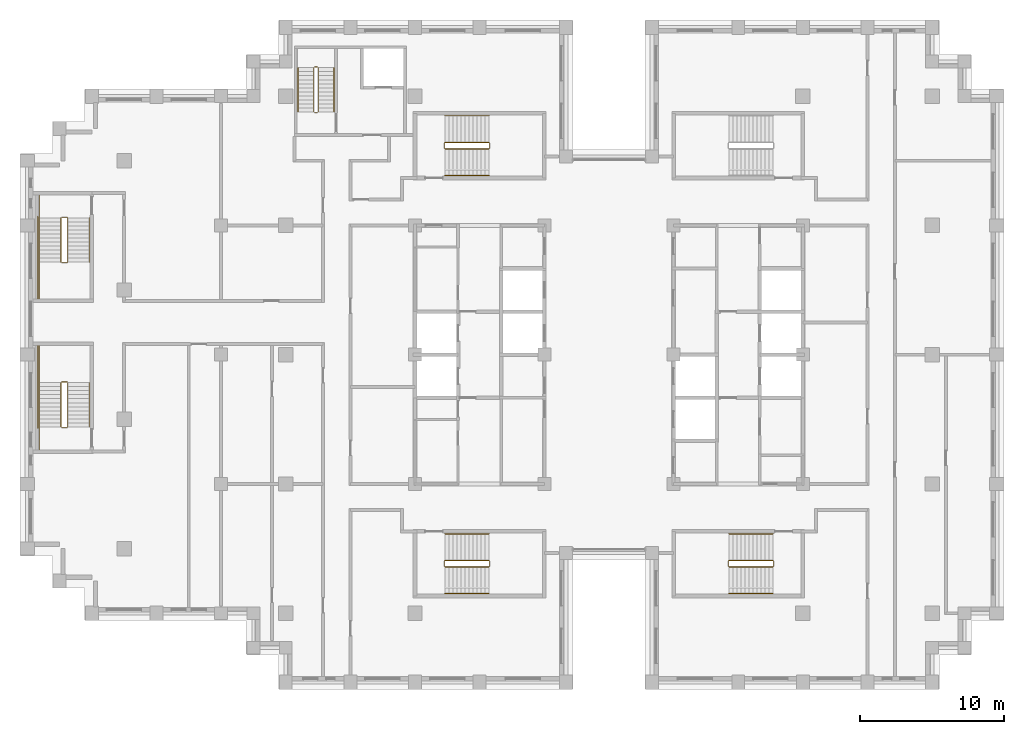
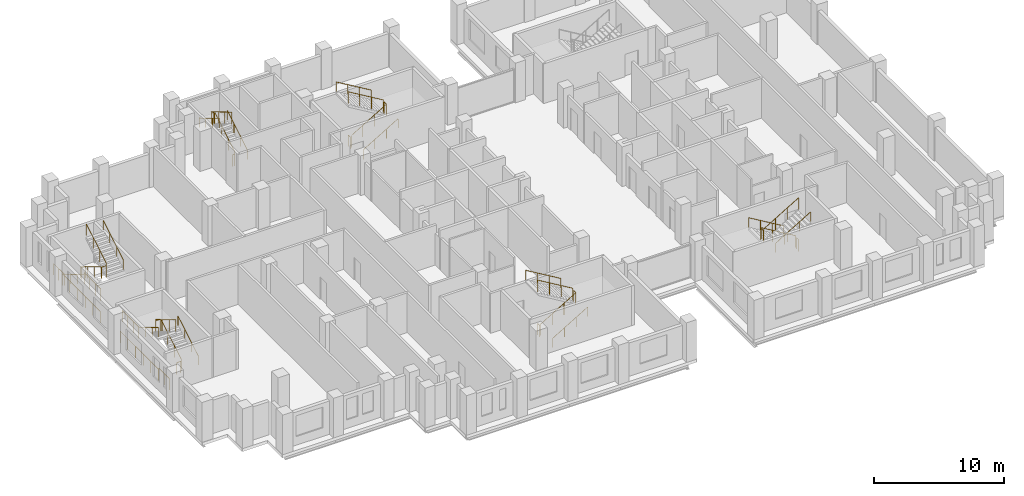
# One storey, part 14 of 15: 6 railings.
"""IFC4 building model written with IfcOpenShell, lengths in metres."""

from ifc_helpers import new_model, si_unit, direction, frame, origin, origin_2d, place, context, subcontext, project, spatial, circle, extrude, material, type_object, element, save


model = new_model("IFC4")

# Units and contexts
model_context = context("Model", 3, precision=1e-05, world=origin(), true_north=direction((0.0, 1.0)))
body_context = subcontext(model_context, "Body", "Model", "MODEL_VIEW")
ifc_project = project(units=[si_unit("LENGTHUNIT", "METRE"), si_unit("AREAUNIT", "SQUARE_METRE"), si_unit("VOLUMEUNIT", "CUBIC_METRE"), si_unit("PLANEANGLEUNIT", "RADIAN"), si_unit("MASSUNIT", "GRAM", prefix="KILO")], contexts=[model_context])

# Site, building, storey
site_placement = place(None, origin())
site = spatial("IfcSite", under=ifc_project, at=site_placement, CompositionType="ELEMENT")
building_placement = place(site_placement, origin())
building = spatial("IfcBuilding", under=site, at=building_placement, Name="Corbelhall Arena Tower", CompositionType="ELEMENT")
storey_placement = place(building_placement, frame((0.0, 0.0, 220.0)))
storey = spatial("IfcBuildingStorey", under=building, at=storey_placement, Name="L46", CompositionType="ELEMENT", Elevation=220.0)

# Railings
ifc_material = material(Name="Steel ASTM A500 Gr C", Category="steel")
railing_type = type_object("IfcRailingType", Name="IN-GD-1100", PredefinedType="GUARDRAIL", material=ifc_material)
railing_1_placement = place(storey_placement, frame((-11.425048828125, 14.324951171875, 0.166748046875)))
element("IfcRailing", 1, at=railing_1_placement, inside=storey, type_object=railing_type, Name="L46 ST1 stair guards and handrails", PredefinedType="GUARDRAIL", context=body_context, shape_type="SweptSolid", body=[
    extrude(circle(Radius=0.02392578125, at=origin_2d()), frame((0.0, 0.0, 1.076171875), z_axis=(0.859308565015, 0.0, 0.511457515432), x_axis=(0.0, 1.0, 0.0)), (0.0, 0.0, 1.0), 3.58447265625),
    extrude(circle(Radius=0.02392578125, at=origin_2d()), frame((3.130126953125, 0.050048828125, 2.9091796875), z_axis=(0.0, 1.0, 0.0), x_axis=(-1.0, 0.0, 0.0)), (0.0, 0.0, 1.0), 0.35009765625),
    extrude(circle(Radius=0.02392578125, at=origin_2d()), frame((3.080078125, 0.449951171875, 3.076171875), z_axis=(-0.859308565015, 0.0, 0.511457515432), x_axis=(0.0, -1.0, 0.0)), (0.0, 0.0, 1.0), 3.58447265625),
    extrude(circle(Radius=0.02392578125, at=origin_2d()), frame((-0.050048828125, 0.050048828125, 0.9091796875), z_axis=(0.0, 1.0, 0.0), x_axis=(-1.0, 0.0, 0.0)), (0.0, 0.0, 1.0), 0.35009765625),
    extrude(circle(Radius=0.02392578125, at=origin_2d()), frame((0.0, -1.849853515625, 0.8759765625), z_axis=(0.859308565015, 0.0, 0.511457515432), x_axis=(0.0, 1.0, 0.0)), (0.0, 0.0, 1.0), 3.58447265625),
    extrude(circle(Radius=0.02392578125, at=origin_2d()), frame((3.080078125, 2.300048828125, 2.8759765625), z_axis=(-0.859308565015, 0.0, 0.511457515432), x_axis=(0.0, -1.0, 0.0)), (0.0, 0.0, 1.0), 3.58447265625),
    extrude(circle(Radius=0.02099609375, at=origin_2d()), origin(), (0.0, 0.0, 1.0), 1.052001953125),
    extrude(circle(Radius=0.02099609375, at=origin_2d()), frame((1.026611328125, 0.0, 0.611083984375)), (0.0, 0.0, 1.0), 1.052001953125),
    extrude(circle(Radius=0.02099609375, at=origin_2d()), frame((2.053466796875, 0.0, 1.22216796875)), (0.0, 0.0, 1.0), 1.052001953125),
    extrude(circle(Radius=0.02099609375, at=origin_2d()), frame((3.080078125, 0.0, 1.833251953125)), (0.0, 0.0, 1.0), 1.052001953125),
    extrude(circle(Radius=0.02099609375, at=origin_2d()), frame((3.130126953125, 0.050048828125, 1.833251953125)), (0.0, 0.0, 1.0), 1.052001953125),
    extrude(circle(Radius=0.02099609375, at=origin_2d()), frame((3.130126953125, 0.400146484375, 1.833251953125)), (0.0, 0.0, 1.0), 1.052001953125),
    extrude(circle(Radius=0.02099609375, at=origin_2d()), frame((3.080078125, 0.449951171875, 2.0)), (0.0, 0.0, 1.0), 1.052001953125),
    extrude(circle(Radius=0.02099609375, at=origin_2d()), frame((2.053466796875, 0.449951171875, 2.611083984375)), (0.0, 0.0, 1.0), 1.052001953125),
    extrude(circle(Radius=0.02099609375, at=origin_2d()), frame((1.026611328125, 0.449951171875, 3.22216796875)), (0.0, 0.0, 1.0), 1.052001953125),
    extrude(circle(Radius=0.02099609375, at=origin_2d()), frame((0.0, 0.449951171875, 3.833251953125)), (0.0, 0.0, 1.0), 1.052001953125),
    extrude(circle(Radius=0.02099609375, at=origin_2d()), frame((-0.050048828125, 0.050048828125, -0.166748046875)), (0.0, 0.0, 1.0), 1.052001953125),
    extrude(circle(Radius=0.02099609375, at=origin_2d()), frame((-0.050048828125, 0.400146484375, -0.166748046875)), (0.0, 0.0, 1.0), 1.052001953125),
    extrude(circle(Radius=0.02099609375, at=origin_2d()), frame((0.0, -1.849853515625, 0.0)), (0.0, 0.0, 1.0), 0.851806640625),
    extrude(circle(Radius=0.02099609375, at=origin_2d()), frame((1.026611328125, -1.849853515625, 0.611083984375)), (0.0, 0.0, 1.0), 0.851806640625),
    extrude(circle(Radius=0.02099609375, at=origin_2d()), frame((2.053466796875, -1.849853515625, 1.22216796875)), (0.0, 0.0, 1.0), 0.851806640625),
    extrude(circle(Radius=0.02099609375, at=origin_2d()), frame((3.080078125, -1.849853515625, 1.833251953125)), (0.0, 0.0, 1.0), 0.851806640625),
    extrude(circle(Radius=0.02099609375, at=origin_2d()), frame((3.080078125, 2.300048828125, 2.0)), (0.0, 0.0, 1.0), 0.851806640625),
    extrude(circle(Radius=0.02099609375, at=origin_2d()), frame((2.053466796875, 2.300048828125, 2.611083984375)), (0.0, 0.0, 1.0), 0.851806640625),
    extrude(circle(Radius=0.02099609375, at=origin_2d()), frame((1.026611328125, 2.300048828125, 3.22216796875)), (0.0, 0.0, 1.0), 0.851806640625),
    extrude(circle(Radius=0.02099609375, at=origin_2d()), frame((0.0, 2.300048828125, 3.833251953125)), (0.0, 0.0, 1.0), 0.851806640625),
])
railing_2_placement = place(storey_placement, frame((-11.425048828125, -14.77490234375, 0.166748046875)))
element("IfcRailing", 2, at=railing_2_placement, inside=storey, type_object=railing_type, Name="L46 ST2 stair guards and handrails", PredefinedType="GUARDRAIL", context=body_context, shape_type="SweptSolid", body=[
    extrude(circle(Radius=0.02392578125, at=origin_2d()), frame((0.0, 0.0, 1.076171875), z_axis=(0.859308565015, 0.0, 0.511457515432), x_axis=(0.0, 1.0, 0.0)), (0.0, 0.0, 1.0), 3.58447265625),
    extrude(circle(Radius=0.02392578125, at=origin_2d()), frame((3.130126953125, 0.0498046875, 2.9091796875), z_axis=(0.0, 1.0, 0.0), x_axis=(-1.0, 0.0, 0.0)), (0.0, 0.0, 1.0), 0.35009765625),
    extrude(circle(Radius=0.02392578125, at=origin_2d()), frame((3.080078125, 0.449951171875, 3.076171875), z_axis=(-0.859308565015, 0.0, 0.511457515432), x_axis=(0.0, -1.0, 0.0)), (0.0, 0.0, 1.0), 3.58447265625),
    extrude(circle(Radius=0.02392578125, at=origin_2d()), frame((-0.050048828125, 0.0498046875, 0.9091796875), z_axis=(0.0, 1.0, 0.0), x_axis=(-1.0, 0.0, 0.0)), (0.0, 0.0, 1.0), 0.35009765625),
    extrude(circle(Radius=0.02392578125, at=origin_2d()), frame((0.0, -1.85009765625, 0.8759765625), z_axis=(0.859308565015, 0.0, 0.511457515432), x_axis=(0.0, 1.0, 0.0)), (0.0, 0.0, 1.0), 3.58447265625),
    extrude(circle(Radius=0.02392578125, at=origin_2d()), frame((3.080078125, 2.2998046875, 2.8759765625), z_axis=(-0.859308565015, 0.0, 0.511457515432), x_axis=(0.0, -1.0, 0.0)), (0.0, 0.0, 1.0), 3.58447265625),
    extrude(circle(Radius=0.02099609375, at=origin_2d()), origin(), (0.0, 0.0, 1.0), 1.052001953125),
    extrude(circle(Radius=0.02099609375, at=origin_2d()), frame((1.026611328125, 0.0, 0.611083984375)), (0.0, 0.0, 1.0), 1.052001953125),
    extrude(circle(Radius=0.02099609375, at=origin_2d()), frame((2.053466796875, 0.0, 1.22216796875)), (0.0, 0.0, 1.0), 1.052001953125),
    extrude(circle(Radius=0.02099609375, at=origin_2d()), frame((3.080078125, 0.0, 1.833251953125)), (0.0, 0.0, 1.0), 1.052001953125),
    extrude(circle(Radius=0.02099609375, at=origin_2d()), frame((3.130126953125, 0.0498046875, 1.833251953125)), (0.0, 0.0, 1.0), 1.052001953125),
    extrude(circle(Radius=0.02099609375, at=origin_2d()), frame((3.130126953125, 0.39990234375, 1.833251953125)), (0.0, 0.0, 1.0), 1.052001953125),
    extrude(circle(Radius=0.02099609375, at=origin_2d()), frame((3.080078125, 0.449951171875, 2.0)), (0.0, 0.0, 1.0), 1.052001953125),
    extrude(circle(Radius=0.02099609375, at=origin_2d()), frame((2.053466796875, 0.449951171875, 2.611083984375)), (0.0, 0.0, 1.0), 1.052001953125),
    extrude(circle(Radius=0.02099609375, at=origin_2d()), frame((1.026611328125, 0.449951171875, 3.22216796875)), (0.0, 0.0, 1.0), 1.052001953125),
    extrude(circle(Radius=0.02099609375, at=origin_2d()), frame((0.0, 0.449951171875, 3.833251953125)), (0.0, 0.0, 1.0), 1.052001953125),
    extrude(circle(Radius=0.02099609375, at=origin_2d()), frame((-0.050048828125, 0.0498046875, -0.166748046875)), (0.0, 0.0, 1.0), 1.052001953125),
    extrude(circle(Radius=0.02099609375, at=origin_2d()), frame((-0.050048828125, 0.39990234375, -0.166748046875)), (0.0, 0.0, 1.0), 1.052001953125),
    extrude(circle(Radius=0.02099609375, at=origin_2d()), frame((0.0, -1.85009765625, 0.0)), (0.0, 0.0, 1.0), 0.851806640625),
    extrude(circle(Radius=0.02099609375, at=origin_2d()), frame((1.026611328125, -1.85009765625, 0.611083984375)), (0.0, 0.0, 1.0), 0.851806640625),
    extrude(circle(Radius=0.02099609375, at=origin_2d()), frame((2.053466796875, -1.85009765625, 1.22216796875)), (0.0, 0.0, 1.0), 0.851806640625),
    extrude(circle(Radius=0.02099609375, at=origin_2d()), frame((3.080078125, -1.85009765625, 1.833251953125)), (0.0, 0.0, 1.0), 0.851806640625),
    extrude(circle(Radius=0.02099609375, at=origin_2d()), frame((3.080078125, 2.2998046875, 2.0)), (0.0, 0.0, 1.0), 0.851806640625),
    extrude(circle(Radius=0.02099609375, at=origin_2d()), frame((2.053466796875, 2.2998046875, 2.611083984375)), (0.0, 0.0, 1.0), 0.851806640625),
    extrude(circle(Radius=0.02099609375, at=origin_2d()), frame((1.026611328125, 2.2998046875, 3.22216796875)), (0.0, 0.0, 1.0), 0.851806640625),
    extrude(circle(Radius=0.02099609375, at=origin_2d()), frame((0.0, 2.2998046875, 3.833251953125)), (0.0, 0.0, 1.0), 0.851806640625),
])
railing_3_placement = place(storey_placement, frame((11.425048828125, -14.324951171875, 0.166748046875)))
element("IfcRailing", 3, at=railing_3_placement, inside=storey, type_object=railing_type, Name="L46 ST4 stair guards and handrails", PredefinedType="GUARDRAIL", context=body_context, shape_type="SweptSolid", body=[
    extrude(circle(Radius=0.02392578125, at=origin_2d()), frame((0.0, 0.0, 1.076171875), z_axis=(-0.859308565015, 0.0, 0.511457515432), x_axis=(0.0, -1.0, 0.0)), (0.0, 0.0, 1.0), 3.58447265625),
    extrude(circle(Radius=0.02392578125, at=origin_2d()), frame((-3.130126953125, -0.050048828125, 2.9091796875), z_axis=(0.0, -1.0, 0.0), x_axis=(1.0, 0.0, 0.0)), (0.0, 0.0, 1.0), 0.35009765625),
    extrude(circle(Radius=0.02392578125, at=origin_2d()), frame((-3.080078125, -0.449951171875, 3.076171875), z_axis=(0.859308565015, 0.0, 0.511457515432), x_axis=(0.0, 1.0, 0.0)), (0.0, 0.0, 1.0), 3.58447265625),
    extrude(circle(Radius=0.02392578125, at=origin_2d()), frame((0.050048828125, -0.050048828125, 0.9091796875), z_axis=(0.0, -1.0, 0.0), x_axis=(1.0, 0.0, 0.0)), (0.0, 0.0, 1.0), 0.35009765625),
    extrude(circle(Radius=0.02392578125, at=origin_2d()), frame((0.0, 1.849853515625, 0.8759765625), z_axis=(-0.859308565015, 0.0, 0.511457515432), x_axis=(0.0, -1.0, 0.0)), (0.0, 0.0, 1.0), 3.58447265625),
    extrude(circle(Radius=0.02392578125, at=origin_2d()), frame((-3.080078125, -2.300048828125, 2.8759765625), z_axis=(0.859308565015, 0.0, 0.511457515432), x_axis=(0.0, 1.0, 0.0)), (0.0, 0.0, 1.0), 3.58447265625),
    extrude(circle(Radius=0.02099609375, at=origin_2d()), origin(), (0.0, 0.0, 1.0), 1.052001953125),
    extrude(circle(Radius=0.02099609375, at=origin_2d()), frame((-1.026611328125, 0.0, 0.611083984375)), (0.0, 0.0, 1.0), 1.052001953125),
    extrude(circle(Radius=0.02099609375, at=origin_2d()), frame((-2.053466796875, 0.0, 1.22216796875)), (0.0, 0.0, 1.0), 1.052001953125),
    extrude(circle(Radius=0.02099609375, at=origin_2d()), frame((-3.080078125, 0.0, 1.833251953125)), (0.0, 0.0, 1.0), 1.052001953125),
    extrude(circle(Radius=0.02099609375, at=origin_2d()), frame((-3.130126953125, -0.050048828125, 1.833251953125)), (0.0, 0.0, 1.0), 1.052001953125),
    extrude(circle(Radius=0.02099609375, at=origin_2d()), frame((-3.130126953125, -0.400146484375, 1.833251953125)), (0.0, 0.0, 1.0), 1.052001953125),
    extrude(circle(Radius=0.02099609375, at=origin_2d()), frame((-3.080078125, -0.449951171875, 2.0)), (0.0, 0.0, 1.0), 1.052001953125),
    extrude(circle(Radius=0.02099609375, at=origin_2d()), frame((-2.053466796875, -0.449951171875, 2.611083984375)), (0.0, 0.0, 1.0), 1.052001953125),
    extrude(circle(Radius=0.02099609375, at=origin_2d()), frame((-1.026611328125, -0.449951171875, 3.22216796875)), (0.0, 0.0, 1.0), 1.052001953125),
    extrude(circle(Radius=0.02099609375, at=origin_2d()), frame((0.0, -0.449951171875, 3.833251953125)), (0.0, 0.0, 1.0), 1.052001953125),
    extrude(circle(Radius=0.02099609375, at=origin_2d()), frame((0.050048828125, -0.050048828125, -0.166748046875)), (0.0, 0.0, 1.0), 1.052001953125),
    extrude(circle(Radius=0.02099609375, at=origin_2d()), frame((0.050048828125, -0.400146484375, -0.166748046875)), (0.0, 0.0, 1.0), 1.052001953125),
    extrude(circle(Radius=0.02099609375, at=origin_2d()), frame((0.0, 1.849853515625, 0.0)), (0.0, 0.0, 1.0), 0.851806640625),
    extrude(circle(Radius=0.02099609375, at=origin_2d()), frame((-1.026611328125, 1.849853515625, 0.611083984375)), (0.0, 0.0, 1.0), 0.851806640625),
    extrude(circle(Radius=0.02099609375, at=origin_2d()), frame((-2.053466796875, 1.849853515625, 1.22216796875)), (0.0, 0.0, 1.0), 0.851806640625),
    extrude(circle(Radius=0.02099609375, at=origin_2d()), frame((-3.080078125, 1.849853515625, 1.833251953125)), (0.0, 0.0, 1.0), 0.851806640625),
    extrude(circle(Radius=0.02099609375, at=origin_2d()), frame((-3.080078125, -2.300048828125, 2.0)), (0.0, 0.0, 1.0), 0.851806640625),
    extrude(circle(Radius=0.02099609375, at=origin_2d()), frame((-2.053466796875, -2.300048828125, 2.611083984375)), (0.0, 0.0, 1.0), 0.851806640625),
    extrude(circle(Radius=0.02099609375, at=origin_2d()), frame((-1.026611328125, -2.300048828125, 3.22216796875)), (0.0, 0.0, 1.0), 0.851806640625),
    extrude(circle(Radius=0.02099609375, at=origin_2d()), frame((0.0, -2.300048828125, 3.833251953125)), (0.0, 0.0, 1.0), 0.851806640625),
])
railing_4_placement = place(storey_placement, frame((-38.14990234375, 9.52490234375, 0.166748046875)))
element("IfcRailing", 4, at=railing_4_placement, inside=storey, type_object=railing_type, Name="L46 SC1 stair guards and handrails", PredefinedType="GUARDRAIL", context=body_context, shape_type="SweptSolid", body=[
    extrude(circle(Radius=0.02392578125, at=origin_2d()), frame((0.0, 0.0, 1.076171875), z_axis=(0.0, -0.859290745958, 0.51148745235), x_axis=(1.0, 0.0, 0.0)), (0.0, 0.0, 1.0), 3.584228515625),
    extrude(circle(Radius=0.02392578125, at=origin_2d()), frame((0.0498046875, -3.1298828125, 2.9091796875), z_axis=(1.0, 0.0, 0.0), x_axis=(0.0, 1.0, 0.0)), (0.0, 0.0, 1.0), 0.375),
    extrude(circle(Radius=0.02392578125, at=origin_2d()), frame((-1.5, -3.079833984375, 2.9091796875), z_axis=(0.0, -1.0, 0.0), x_axis=(1.0, 0.0, 0.0)), (0.0, 0.0, 1.0), 2.570068359375),
    extrude(circle(Radius=0.02392578125, at=origin_2d()), frame((0.474853515625, -3.079833984375, 3.076171875), z_axis=(0.0, 0.859290745958, 0.51148745235), x_axis=(-1.0, 0.0, 0.0)), (0.0, 0.0, 1.0), 3.584228515625),
    extrude(circle(Radius=0.02392578125, at=origin_2d()), frame((0.0498046875, 0.050048828125, 0.9091796875), z_axis=(1.0, 0.0, 0.0), x_axis=(0.0, 1.0, 0.0)), (0.0, 0.0, 1.0), 0.375),
    extrude(circle(Radius=0.02392578125, at=origin_2d()), frame((-1.5, 1.60009765625, 0.9091796875), z_axis=(0.0, -1.0, 0.0), x_axis=(1.0, 0.0, 0.0)), (0.0, 0.0, 1.0), 1.60009765625),
    extrude(circle(Radius=0.02392578125, at=origin_2d()), frame((-1.60009765625, 0.10009765625, 0.9091796875), z_axis=(0.0, -1.0, 0.0), x_axis=(1.0, 0.0, 0.0)), (0.0, 0.0, 1.0), 5.85009765625),
    extrude(circle(Radius=0.02392578125, at=origin_2d()), frame((-1.5, 0.0, 0.8759765625), z_axis=(0.0, -0.859290745958, 0.51148745235), x_axis=(1.0, 0.0, 0.0)), (0.0, 0.0, 1.0), 3.584228515625),
    extrude(circle(Radius=0.02392578125, at=origin_2d()), frame((1.974853515625, -3.079833984375, 2.8759765625), z_axis=(0.0, 0.859290745958, 0.51148745235), x_axis=(-1.0, 0.0, 0.0)), (0.0, 0.0, 1.0), 3.584228515625),
    extrude(circle(Radius=0.02099609375, at=origin_2d()), origin(), (0.0, 0.0, 1.0), 1.052001953125),
    extrude(circle(Radius=0.02099609375, at=origin_2d()), frame((0.0, -1.026611328125, 0.611083984375)), (0.0, 0.0, 1.0), 1.052001953125),
    extrude(circle(Radius=0.02099609375, at=origin_2d()), frame((0.0, -2.05322265625, 1.22216796875)), (0.0, 0.0, 1.0), 1.052001953125),
    extrude(circle(Radius=0.02099609375, at=origin_2d()), frame((0.0, -3.079833984375, 1.833251953125)), (0.0, 0.0, 1.0), 1.052001953125),
    extrude(circle(Radius=0.02099609375, at=origin_2d()), frame((0.0498046875, -3.1298828125, 1.833251953125)), (0.0, 0.0, 1.0), 1.052001953125),
    extrude(circle(Radius=0.02099609375, at=origin_2d()), frame((0.4248046875, -3.1298828125, 1.833251953125)), (0.0, 0.0, 1.0), 1.052001953125),
    extrude(circle(Radius=0.02099609375, at=origin_2d()), frame((-1.5, -3.079833984375, 1.833251953125)), (0.0, 0.0, 1.0), 1.052001953125),
    extrude(circle(Radius=0.02099609375, at=origin_2d()), frame((-1.5, -3.9365234375, 1.833251953125)), (0.0, 0.0, 1.0), 1.052001953125),
    extrude(circle(Radius=0.02099609375, at=origin_2d()), frame((-1.5, -4.793212890625, 1.833251953125)), (0.0, 0.0, 1.0), 1.052001953125),
    extrude(circle(Radius=0.02099609375, at=origin_2d()), frame((-1.5, -5.64990234375, 1.833251953125)), (0.0, 0.0, 1.0), 1.052001953125),
    extrude(circle(Radius=0.02099609375, at=origin_2d()), frame((0.474853515625, -3.079833984375, 2.0)), (0.0, 0.0, 1.0), 1.052001953125),
    extrude(circle(Radius=0.02099609375, at=origin_2d()), frame((0.474853515625, -2.05322265625, 2.611083984375)), (0.0, 0.0, 1.0), 1.052001953125),
    extrude(circle(Radius=0.02099609375, at=origin_2d()), frame((0.474853515625, -1.026611328125, 3.22216796875)), (0.0, 0.0, 1.0), 1.052001953125),
    extrude(circle(Radius=0.02099609375, at=origin_2d()), frame((0.474853515625, 0.0, 3.833251953125)), (0.0, 0.0, 1.0), 1.052001953125),
    extrude(circle(Radius=0.02099609375, at=origin_2d()), frame((0.0498046875, 0.050048828125, -0.166748046875)), (0.0, 0.0, 1.0), 1.052001953125),
    extrude(circle(Radius=0.02099609375, at=origin_2d()), frame((0.4248046875, 0.050048828125, -0.166748046875)), (0.0, 0.0, 1.0), 1.052001953125),
    extrude(circle(Radius=0.02099609375, at=origin_2d()), frame((-1.5, 1.60009765625, -0.166748046875)), (0.0, 0.0, 1.0), 1.052001953125),
    extrude(circle(Radius=0.02099609375, at=origin_2d()), frame((-1.5, 0.800048828125, -0.166748046875)), (0.0, 0.0, 1.0), 1.052001953125),
    extrude(circle(Radius=0.02099609375, at=origin_2d()), frame((-1.5, 0.0, -0.166748046875)), (0.0, 0.0, 1.0), 1.052001953125),
    extrude(circle(Radius=0.02099609375, at=origin_2d()), frame((-1.60009765625, 0.10009765625, -0.166748046875)), (0.0, 0.0, 1.0), 1.052001953125),
    extrude(circle(Radius=0.02099609375, at=origin_2d()), frame((-1.60009765625, -1.06982421875, -0.166748046875)), (0.0, 0.0, 1.0), 1.052001953125),
    extrude(circle(Radius=0.02099609375, at=origin_2d()), frame((-1.60009765625, -2.239990234375, -0.166748046875)), (0.0, 0.0, 1.0), 1.052001953125),
    extrude(circle(Radius=0.02099609375, at=origin_2d()), frame((-1.60009765625, -3.409912109375, -0.166748046875)), (0.0, 0.0, 1.0), 1.052001953125),
    extrude(circle(Radius=0.02099609375, at=origin_2d()), frame((-1.60009765625, -4.580078125, -0.166748046875)), (0.0, 0.0, 1.0), 1.052001953125),
    extrude(circle(Radius=0.02099609375, at=origin_2d()), frame((-1.60009765625, -5.75, -0.166748046875)), (0.0, 0.0, 1.0), 1.052001953125),
    extrude(circle(Radius=0.02099609375, at=origin_2d()), frame((-1.5, 0.0, 0.0)), (0.0, 0.0, 1.0), 0.851806640625),
    extrude(circle(Radius=0.02099609375, at=origin_2d()), frame((-1.5, -1.026611328125, 0.611083984375)), (0.0, 0.0, 1.0), 0.851806640625),
    extrude(circle(Radius=0.02099609375, at=origin_2d()), frame((-1.5, -2.05322265625, 1.22216796875)), (0.0, 0.0, 1.0), 0.851806640625),
    extrude(circle(Radius=0.02099609375, at=origin_2d()), frame((1.974853515625, -3.079833984375, 2.0)), (0.0, 0.0, 1.0), 0.851806640625),
    extrude(circle(Radius=0.02099609375, at=origin_2d()), frame((1.974853515625, -2.05322265625, 2.611083984375)), (0.0, 0.0, 1.0), 0.851806640625),
    extrude(circle(Radius=0.02099609375, at=origin_2d()), frame((1.974853515625, -1.026611328125, 3.22216796875)), (0.0, 0.0, 1.0), 0.851806640625),
    extrude(circle(Radius=0.02099609375, at=origin_2d()), frame((1.974853515625, 0.0, 3.833251953125)), (0.0, 0.0, 1.0), 0.851806640625),
])
railing_5_placement = place(storey_placement, frame((-37.675048828125, -5.02490234375, 0.166748046875)))
element("IfcRailing", 5, at=railing_5_placement, inside=storey, type_object=railing_type, Name="L46 SC2 stair guards and handrails", PredefinedType="GUARDRAIL", context=body_context, shape_type="SweptSolid", body=[
    extrude(circle(Radius=0.02392578125, at=origin_2d()), frame((0.0, 0.0, 1.076171875), z_axis=(0.0, 0.859290745958, 0.51148745235), x_axis=(-1.0, 0.0, 0.0)), (0.0, 0.0, 1.0), 3.584228515625),
    extrude(circle(Radius=0.02392578125, at=origin_2d()), frame((-0.050048828125, 3.1298828125, 2.9091796875), z_axis=(-1.0, 0.0, 0.0), x_axis=(0.0, -1.0, 0.0)), (0.0, 0.0, 1.0), 0.375),
    extrude(circle(Radius=0.02392578125, at=origin_2d()), frame((-1.974853515625, 3.079833984375, 2.9091796875), z_axis=(0.0, 1.0, 0.0), x_axis=(-1.0, 0.0, 0.0)), (0.0, 0.0, 1.0), 2.570068359375),
    extrude(circle(Radius=0.02392578125, at=origin_2d()), frame((-0.474853515625, 3.079833984375, 3.076171875), z_axis=(0.0, -0.859290745958, 0.51148745235), x_axis=(1.0, 0.0, 0.0)), (0.0, 0.0, 1.0), 3.584228515625),
    extrude(circle(Radius=0.02392578125, at=origin_2d()), frame((-0.050048828125, -0.050048828125, 0.9091796875), z_axis=(-1.0, 0.0, 0.0), x_axis=(0.0, -1.0, 0.0)), (0.0, 0.0, 1.0), 0.375),
    extrude(circle(Radius=0.02392578125, at=origin_2d()), frame((-1.974853515625, -1.60009765625, 0.9091796875), z_axis=(0.0, 1.0, 0.0), x_axis=(-1.0, 0.0, 0.0)), (0.0, 0.0, 1.0), 1.60009765625),
    extrude(circle(Radius=0.02392578125, at=origin_2d()), frame((-2.074951171875, -0.10009765625, 0.9091796875), z_axis=(0.0, 1.0, 0.0), x_axis=(-1.0, 0.0, 0.0)), (0.0, 0.0, 1.0), 5.85009765625),
    extrude(circle(Radius=0.02392578125, at=origin_2d()), frame((1.5, 0.0, 0.8759765625), z_axis=(0.0, 0.859290745958, 0.51148745235), x_axis=(-1.0, 0.0, 0.0)), (0.0, 0.0, 1.0), 3.584228515625),
    extrude(circle(Radius=0.02392578125, at=origin_2d()), frame((-1.974853515625, 3.079833984375, 2.8759765625), z_axis=(0.0, -0.859290745958, 0.51148745235), x_axis=(1.0, 0.0, 0.0)), (0.0, 0.0, 1.0), 3.584228515625),
    extrude(circle(Radius=0.02099609375, at=origin_2d()), origin(), (0.0, 0.0, 1.0), 1.052001953125),
    extrude(circle(Radius=0.02099609375, at=origin_2d()), frame((0.0, 1.026611328125, 0.611083984375)), (0.0, 0.0, 1.0), 1.052001953125),
    extrude(circle(Radius=0.02099609375, at=origin_2d()), frame((0.0, 2.05322265625, 1.22216796875)), (0.0, 0.0, 1.0), 1.052001953125),
    extrude(circle(Radius=0.02099609375, at=origin_2d()), frame((0.0, 3.079833984375, 1.833251953125)), (0.0, 0.0, 1.0), 1.052001953125),
    extrude(circle(Radius=0.02099609375, at=origin_2d()), frame((-0.050048828125, 3.1298828125, 1.833251953125)), (0.0, 0.0, 1.0), 1.052001953125),
    extrude(circle(Radius=0.02099609375, at=origin_2d()), frame((-0.425048828125, 3.1298828125, 1.833251953125)), (0.0, 0.0, 1.0), 1.052001953125),
    extrude(circle(Radius=0.02099609375, at=origin_2d()), frame((-1.974853515625, 3.079833984375, 1.833251953125)), (0.0, 0.0, 1.0), 1.052001953125),
    extrude(circle(Radius=0.02099609375, at=origin_2d()), frame((-1.974853515625, 3.9365234375, 1.833251953125)), (0.0, 0.0, 1.0), 1.052001953125),
    extrude(circle(Radius=0.02099609375, at=origin_2d()), frame((-1.974853515625, 4.793212890625, 1.833251953125)), (0.0, 0.0, 1.0), 1.052001953125),
    extrude(circle(Radius=0.02099609375, at=origin_2d()), frame((-1.974853515625, 5.64990234375, 1.833251953125)), (0.0, 0.0, 1.0), 1.052001953125),
    extrude(circle(Radius=0.02099609375, at=origin_2d()), frame((-0.474853515625, 3.079833984375, 2.0)), (0.0, 0.0, 1.0), 1.052001953125),
    extrude(circle(Radius=0.02099609375, at=origin_2d()), frame((-0.474853515625, 2.05322265625, 2.611083984375)), (0.0, 0.0, 1.0), 1.052001953125),
    extrude(circle(Radius=0.02099609375, at=origin_2d()), frame((-0.474853515625, 1.026611328125, 3.22216796875)), (0.0, 0.0, 1.0), 1.052001953125),
    extrude(circle(Radius=0.02099609375, at=origin_2d()), frame((-0.474853515625, 0.0, 3.833251953125)), (0.0, 0.0, 1.0), 1.052001953125),
    extrude(circle(Radius=0.02099609375, at=origin_2d()), frame((-0.050048828125, -0.050048828125, -0.166748046875)), (0.0, 0.0, 1.0), 1.052001953125),
    extrude(circle(Radius=0.02099609375, at=origin_2d()), frame((-0.425048828125, -0.050048828125, -0.166748046875)), (0.0, 0.0, 1.0), 1.052001953125),
    extrude(circle(Radius=0.02099609375, at=origin_2d()), frame((-1.974853515625, -1.60009765625, -0.166748046875)), (0.0, 0.0, 1.0), 1.052001953125),
    extrude(circle(Radius=0.02099609375, at=origin_2d()), frame((-1.974853515625, -0.800048828125, -0.166748046875)), (0.0, 0.0, 1.0), 1.052001953125),
    extrude(circle(Radius=0.02099609375, at=origin_2d()), frame((-1.974853515625, 0.0, -0.166748046875)), (0.0, 0.0, 1.0), 1.052001953125),
    extrude(circle(Radius=0.02099609375, at=origin_2d()), frame((-2.074951171875, -0.10009765625, -0.166748046875)), (0.0, 0.0, 1.0), 1.052001953125),
    extrude(circle(Radius=0.02099609375, at=origin_2d()), frame((-2.074951171875, 1.06982421875, -0.166748046875)), (0.0, 0.0, 1.0), 1.052001953125),
    extrude(circle(Radius=0.02099609375, at=origin_2d()), frame((-2.074951171875, 2.239990234375, -0.166748046875)), (0.0, 0.0, 1.0), 1.052001953125),
    extrude(circle(Radius=0.02099609375, at=origin_2d()), frame((-2.074951171875, 3.409912109375, -0.166748046875)), (0.0, 0.0, 1.0), 1.052001953125),
    extrude(circle(Radius=0.02099609375, at=origin_2d()), frame((-2.074951171875, 4.580078125, -0.166748046875)), (0.0, 0.0, 1.0), 1.052001953125),
    extrude(circle(Radius=0.02099609375, at=origin_2d()), frame((-2.074951171875, 5.75, -0.166748046875)), (0.0, 0.0, 1.0), 1.052001953125),
    extrude(circle(Radius=0.02099609375, at=origin_2d()), frame((1.5, 0.0, 0.0)), (0.0, 0.0, 1.0), 0.851806640625),
    extrude(circle(Radius=0.02099609375, at=origin_2d()), frame((1.5, 1.026611328125, 0.611083984375)), (0.0, 0.0, 1.0), 0.851806640625),
    extrude(circle(Radius=0.02099609375, at=origin_2d()), frame((1.5, 2.05322265625, 1.22216796875)), (0.0, 0.0, 1.0), 0.851806640625),
    extrude(circle(Radius=0.02099609375, at=origin_2d()), frame((1.5, 3.079833984375, 1.833251953125)), (0.0, 0.0, 1.0), 0.851806640625),
    extrude(circle(Radius=0.02099609375, at=origin_2d()), frame((-1.974853515625, 3.079833984375, 2.0)), (0.0, 0.0, 1.0), 0.851806640625),
    extrude(circle(Radius=0.02099609375, at=origin_2d()), frame((-1.974853515625, 2.05322265625, 2.611083984375)), (0.0, 0.0, 1.0), 0.851806640625),
    extrude(circle(Radius=0.02099609375, at=origin_2d()), frame((-1.974853515625, 1.026611328125, 3.22216796875)), (0.0, 0.0, 1.0), 0.851806640625),
    extrude(circle(Radius=0.02099609375, at=origin_2d()), frame((-1.974853515625, 0.0, 3.833251953125)), (0.0, 0.0, 1.0), 0.851806640625),
])
railing_6_placement = place(storey_placement, frame((-20.2451171875, 16.89990234375, 0.166748046875)))
element("IfcRailing", 6, at=railing_6_placement, inside=storey, type_object=railing_type, Name="L46 ST5 stair guards and handrails", PredefinedType="GUARDRAIL", context=body_context, shape_type="SweptSolid", body=[
    extrude(circle(Radius=0.02392578125, at=origin_2d()), frame((0.0, 0.0, 1.076171875), z_axis=(0.0, 0.859308565015, 0.511457515432), x_axis=(-1.0, 0.0, 0.0)), (0.0, 0.0, 1.0), 3.58447265625),
    extrude(circle(Radius=0.02392578125, at=origin_2d()), frame((-0.0498046875, 3.130126953125, 2.9091796875), z_axis=(-1.0, 0.0, 0.0), x_axis=(0.0, -1.0, 0.0)), (0.0, 0.0, 1.0), 0.2001953125),
    extrude(circle(Radius=0.02392578125, at=origin_2d()), frame((-0.2998046875, 3.080078125, 3.076171875), z_axis=(0.0, -0.859308565015, 0.511457515432), x_axis=(1.0, 0.0, 0.0)), (0.0, 0.0, 1.0), 3.58447265625),
    extrude(circle(Radius=0.02392578125, at=origin_2d()), frame((-0.0498046875, -0.0498046875, 0.9091796875), z_axis=(-1.0, 0.0, 0.0), x_axis=(0.0, -1.0, 0.0)), (0.0, 0.0, 1.0), 0.2001953125),
    extrude(circle(Radius=0.02392578125, at=origin_2d()), frame((1.10009765625, 0.0, 0.8759765625), z_axis=(0.0, 0.859308565015, 0.511457515432), x_axis=(-1.0, 0.0, 0.0)), (0.0, 0.0, 1.0), 3.58447265625),
    extrude(circle(Radius=0.02392578125, at=origin_2d()), frame((-1.39990234375, 3.080078125, 2.8759765625), z_axis=(0.0, -0.859308565015, 0.511457515432), x_axis=(1.0, 0.0, 0.0)), (0.0, 0.0, 1.0), 3.58447265625),
    extrude(circle(Radius=0.02099609375, at=origin_2d()), origin(), (0.0, 0.0, 1.0), 1.052001953125),
    extrude(circle(Radius=0.02099609375, at=origin_2d()), frame((0.0, 1.026611328125, 0.611083984375)), (0.0, 0.0, 1.0), 1.052001953125),
    extrude(circle(Radius=0.02099609375, at=origin_2d()), frame((0.0, 2.053466796875, 1.22216796875)), (0.0, 0.0, 1.0), 1.052001953125),
    extrude(circle(Radius=0.02099609375, at=origin_2d()), frame((0.0, 3.080078125, 1.833251953125)), (0.0, 0.0, 1.0), 1.052001953125),
    extrude(circle(Radius=0.02099609375, at=origin_2d()), frame((-0.0498046875, 3.130126953125, 1.833251953125)), (0.0, 0.0, 1.0), 1.052001953125),
    extrude(circle(Radius=0.02099609375, at=origin_2d()), frame((-0.25, 3.130126953125, 1.833251953125)), (0.0, 0.0, 1.0), 1.052001953125),
    extrude(circle(Radius=0.02099609375, at=origin_2d()), frame((-0.2998046875, 3.080078125, 2.0)), (0.0, 0.0, 1.0), 1.052001953125),
    extrude(circle(Radius=0.02099609375, at=origin_2d()), frame((-0.2998046875, 2.053466796875, 2.611083984375)), (0.0, 0.0, 1.0), 1.052001953125),
    extrude(circle(Radius=0.02099609375, at=origin_2d()), frame((-0.2998046875, 1.026611328125, 3.22216796875)), (0.0, 0.0, 1.0), 1.052001953125),
    extrude(circle(Radius=0.02099609375, at=origin_2d()), frame((-0.2998046875, 0.0, 3.833251953125)), (0.0, 0.0, 1.0), 1.052001953125),
    extrude(circle(Radius=0.02099609375, at=origin_2d()), frame((-0.0498046875, -0.0498046875, -0.166748046875)), (0.0, 0.0, 1.0), 1.052001953125),
    extrude(circle(Radius=0.02099609375, at=origin_2d()), frame((-0.25, -0.0498046875, -0.166748046875)), (0.0, 0.0, 1.0), 1.052001953125),
    extrude(circle(Radius=0.02099609375, at=origin_2d()), frame((1.10009765625, 0.0, 0.0)), (0.0, 0.0, 1.0), 0.851806640625),
    extrude(circle(Radius=0.02099609375, at=origin_2d()), frame((1.10009765625, 1.026611328125, 0.611083984375)), (0.0, 0.0, 1.0), 0.851806640625),
    extrude(circle(Radius=0.02099609375, at=origin_2d()), frame((1.10009765625, 2.053466796875, 1.22216796875)), (0.0, 0.0, 1.0), 0.851806640625),
    extrude(circle(Radius=0.02099609375, at=origin_2d()), frame((1.10009765625, 3.080078125, 1.833251953125)), (0.0, 0.0, 1.0), 0.851806640625),
    extrude(circle(Radius=0.02099609375, at=origin_2d()), frame((-1.39990234375, 3.080078125, 2.0)), (0.0, 0.0, 1.0), 0.851806640625),
    extrude(circle(Radius=0.02099609375, at=origin_2d()), frame((-1.39990234375, 2.053466796875, 2.611083984375)), (0.0, 0.0, 1.0), 0.851806640625),
    extrude(circle(Radius=0.02099609375, at=origin_2d()), frame((-1.39990234375, 1.026611328125, 3.22216796875)), (0.0, 0.0, 1.0), 0.851806640625),
    extrude(circle(Radius=0.02099609375, at=origin_2d()), frame((-1.39990234375, 0.0, 3.833251953125)), (0.0, 0.0, 1.0), 0.851806640625),
])

save(model, "model.ifc")
